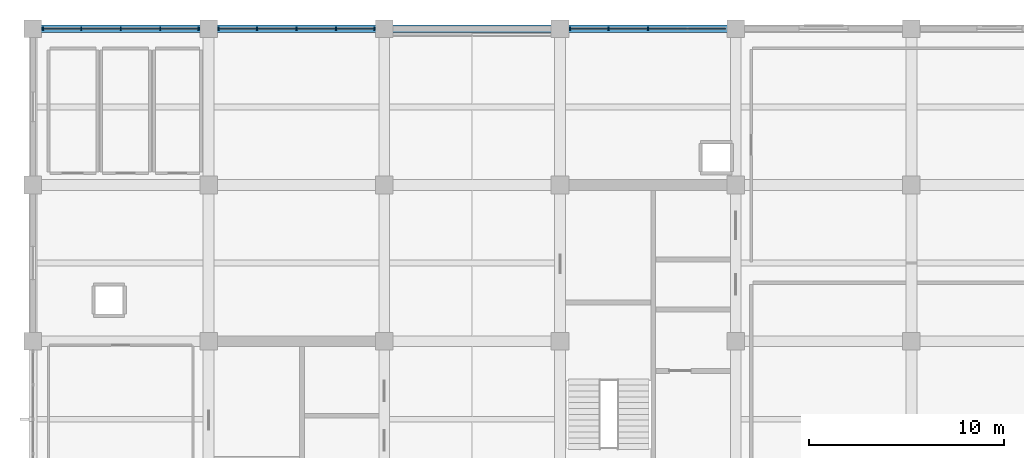
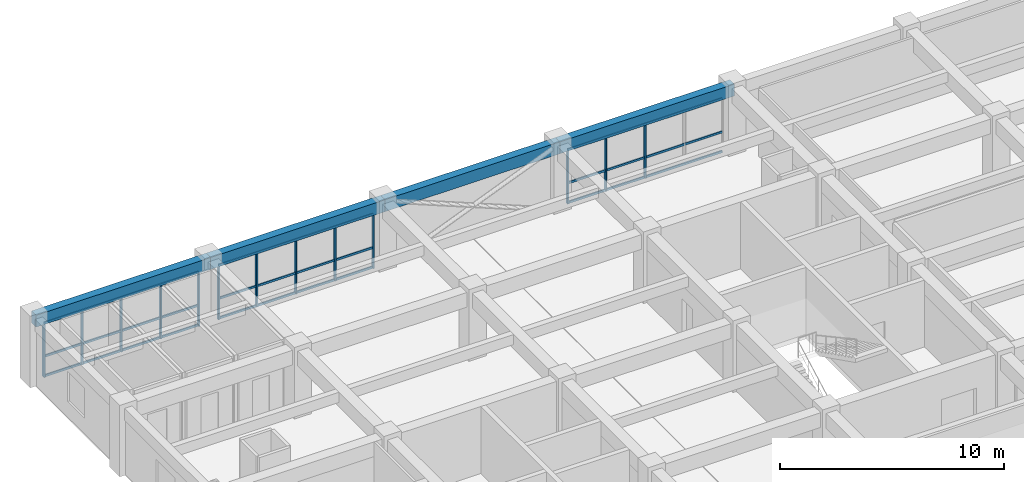
# One storey, part 9 of 16: 22 members, 4 beams, 3 elements without a shape of their own.
"""IFC4 building model written with IfcOpenShell, lengths in metres."""

from ifc_helpers import new_model, si_unit, direction, frame, origin, origin_2d, place, context, subcontext, project, spatial, rectangle, extrude, material, material_profile, profile_set, type_object, element, aggregate, save


model = new_model("IFC4")

# Units and contexts
model_context = context("Model", 3, precision=1e-05, world=origin(), true_north=direction((0.0, 1.0)))
body_context = subcontext(model_context, "Body", "Model", "MODEL_VIEW")
ifc_project = project(units=[si_unit("LENGTHUNIT", "METRE"), si_unit("AREAUNIT", "SQUARE_METRE"), si_unit("VOLUMEUNIT", "CUBIC_METRE"), si_unit("PLANEANGLEUNIT", "RADIAN"), si_unit("MASSUNIT", "GRAM", prefix="KILO")], contexts=[model_context])

# Site, building, storey
site_placement = place(None, origin())
site = spatial("IfcSite", under=ifc_project, at=site_placement, CompositionType="ELEMENT")
building_placement = place(site_placement, origin())
building = spatial("IfcBuilding", under=site, at=building_placement, Name="Zaverband Oceanarium and Marine Research Institute", CompositionType="ELEMENT")
storey_placement = place(building_placement, frame((0.0, 0.0, 25.800048828125)))
storey = spatial("IfcBuildingStorey", under=building, at=storey_placement, Name="L06", CompositionType="ELEMENT", Elevation=25.800048828125)

# Curtain wall, members
ifc_material_1 = material(Name="Thermally broken anodized aluminium and solar-control glass", Category="aluminium")
curtain_wall_type = type_object("IfcCurtainWallType", Name="CW-UNIT-1800", PredefinedType="NOTDEFINED", material=ifc_material_1)
curtain_wall_1_placement = place(storey_placement, origin())
curtain_wall_1 = element("IfcCurtainWall", 1, at=curtain_wall_1_placement, inside=storey, type_object=curtain_wall_type, Name="Unitised glazed curtain wall CW-079", PredefinedType="NOTDEFINED")
ifc_material_2 = material(Name="Thermally broken anodized aluminium", Category="aluminium")
ifc_material_profile_1 = material_profile(ifc_material_2, rectangle(XDim=0.070068359375, YDim=0.14990234375, at=origin_2d()), Name="AL-MUL-70x150")
ifc_profile_set_1 = profile_set([ifc_material_profile_1], Name="Thermally broken anodized aluminium")
member_type_1 = type_object("IfcMemberType", Name="MUL-70x150", PredefinedType="MULLION", material=ifc_profile_set_1)
member_1_placement = place(storey_placement, frame((9.514892578125, 112.0, 0.0), z_axis=(0.0, 0.0, 1.0), x_axis=(1.0, 0.0, 0.0)))
member_1 = element("IfcMember", 2, at=member_1_placement, type_object=member_type_1, Name="Curtain wall vertical mullion MUL-70x150", PredefinedType="MULLION", context=body_context, shape_type="SweptSolid", body=[
    extrude(rectangle(XDim=0.070068359375, YDim=0.14990234375, at=origin_2d()), origin(), (0.0, 0.0, 1.0), 2.97998046875),
])
member_2_placement = place(storey_placement, frame((11.4775390625, 112.0, 0.0), z_axis=(0.0, 0.0, 1.0), x_axis=(1.0, 0.0, 0.0)))
member_2 = element("IfcMember", 3, at=member_2_placement, type_object=member_type_1, Name="Curtain wall vertical mullion MUL-70x150", PredefinedType="MULLION", context=body_context, shape_type="SweptSolid", body=[
    extrude(rectangle(XDim=0.070068359375, YDim=0.14990234375, at=origin_2d()), origin(), (0.0, 0.0, 1.0), 2.97998046875),
])
member_3_placement = place(storey_placement, frame((13.5, 112.0, 0.0), z_axis=(0.0, 0.0, 1.0), x_axis=(1.0, 0.0, 0.0)))
member_3 = element("IfcMember", 4, at=member_3_placement, type_object=member_type_1, Name="Curtain wall vertical mullion MUL-70x150", PredefinedType="MULLION", context=body_context, shape_type="SweptSolid", body=[
    extrude(rectangle(XDim=0.070068359375, YDim=0.14990234375, at=origin_2d()), origin(), (0.0, 0.0, 1.0), 2.97998046875),
])
member_4_placement = place(storey_placement, frame((15.5224609375, 112.0, 0.0), z_axis=(0.0, 0.0, 1.0), x_axis=(1.0, 0.0, 0.0)))
member_4 = element("IfcMember", 5, at=member_4_placement, type_object=member_type_1, Name="Curtain wall vertical mullion MUL-70x150", PredefinedType="MULLION", context=body_context, shape_type="SweptSolid", body=[
    extrude(rectangle(XDim=0.070068359375, YDim=0.14990234375, at=origin_2d()), origin(), (0.0, 0.0, 1.0), 2.97998046875),
])
member_5_placement = place(storey_placement, frame((17.485107421875, 112.0, 0.0), z_axis=(0.0, 0.0, 1.0), x_axis=(1.0, 0.0, 0.0)))
member_5 = element("IfcMember", 6, at=member_5_placement, type_object=member_type_1, Name="Curtain wall vertical mullion MUL-70x150", PredefinedType="MULLION", context=body_context, shape_type="SweptSolid", body=[
    extrude(rectangle(XDim=0.070068359375, YDim=0.14990234375, at=origin_2d()), origin(), (0.0, 0.0, 1.0), 2.97998046875),
])

curtain_wall_2_placement = place(storey_placement, origin())
curtain_wall_2 = element("IfcCurtainWall", 7, at=curtain_wall_2_placement, inside=storey, type_object=curtain_wall_type, Name="Unitised glazed curtain wall CW-080", PredefinedType="NOTDEFINED")
member_6_placement = place(storey_placement, frame((18.514892578125, 112.0, 0.0), z_axis=(0.0, 0.0, 1.0), x_axis=(1.0, 0.0, 0.0)))
member_6 = element("IfcMember", 8, at=member_6_placement, type_object=member_type_1, Name="Curtain wall vertical mullion MUL-70x150", PredefinedType="MULLION", context=body_context, shape_type="SweptSolid", body=[
    extrude(rectangle(XDim=0.070068359375, YDim=0.14990234375, at=origin_2d()), origin(), (0.0, 0.0, 1.0), 2.97998046875),
])
member_7_placement = place(storey_placement, frame((20.4775390625, 112.0, 0.0), z_axis=(0.0, 0.0, 1.0), x_axis=(1.0, 0.0, 0.0)))
member_7 = element("IfcMember", 9, at=member_7_placement, type_object=member_type_1, Name="Curtain wall vertical mullion MUL-70x150", PredefinedType="MULLION", context=body_context, shape_type="SweptSolid", body=[
    extrude(rectangle(XDim=0.070068359375, YDim=0.14990234375, at=origin_2d()), origin(), (0.0, 0.0, 1.0), 2.97998046875),
])
member_8_placement = place(storey_placement, frame((22.5, 112.0, 0.0), z_axis=(0.0, 0.0, 1.0), x_axis=(1.0, 0.0, 0.0)))
member_8 = element("IfcMember", 10, at=member_8_placement, type_object=member_type_1, Name="Curtain wall vertical mullion MUL-70x150", PredefinedType="MULLION", context=body_context, shape_type="SweptSolid", body=[
    extrude(rectangle(XDim=0.070068359375, YDim=0.14990234375, at=origin_2d()), origin(), (0.0, 0.0, 1.0), 2.97998046875),
])
member_9_placement = place(storey_placement, frame((24.5224609375, 112.0, 0.0), z_axis=(0.0, 0.0, 1.0), x_axis=(1.0, 0.0, 0.0)))
member_9 = element("IfcMember", 11, at=member_9_placement, type_object=member_type_1, Name="Curtain wall vertical mullion MUL-70x150", PredefinedType="MULLION", context=body_context, shape_type="SweptSolid", body=[
    extrude(rectangle(XDim=0.070068359375, YDim=0.14990234375, at=origin_2d()), origin(), (0.0, 0.0, 1.0), 2.97998046875),
])
member_10_placement = place(storey_placement, frame((26.485107421875, 112.0, 0.0), z_axis=(0.0, 0.0, 1.0), x_axis=(1.0, 0.0, 0.0)))
member_10 = element("IfcMember", 12, at=member_10_placement, type_object=member_type_1, Name="Curtain wall vertical mullion MUL-70x150", PredefinedType="MULLION", context=body_context, shape_type="SweptSolid", body=[
    extrude(rectangle(XDim=0.070068359375, YDim=0.14990234375, at=origin_2d()), origin(), (0.0, 0.0, 1.0), 2.97998046875),
])

curtain_wall_3_placement = place(storey_placement, origin())
curtain_wall_3 = element("IfcCurtainWall", 13, at=curtain_wall_3_placement, inside=storey, type_object=curtain_wall_type, Name="Unitised glazed curtain wall CW-081", PredefinedType="NOTDEFINED")
member_11_placement = place(storey_placement, frame((36.514892578125, 112.0, 0.0), z_axis=(0.0, 0.0, 1.0), x_axis=(1.0, 0.0, 0.0)))
member_11 = element("IfcMember", 14, at=member_11_placement, type_object=member_type_1, Name="Curtain wall vertical mullion MUL-70x150", PredefinedType="MULLION", context=body_context, shape_type="SweptSolid", body=[
    extrude(rectangle(XDim=0.070068359375, YDim=0.14990234375, at=origin_2d()), origin(), (0.0, 0.0, 1.0), 2.97998046875),
])
member_12_placement = place(storey_placement, frame((38.4775390625, 112.0, 0.0), z_axis=(0.0, 0.0, 1.0), x_axis=(1.0, 0.0, 0.0)))
member_12 = element("IfcMember", 15, at=member_12_placement, type_object=member_type_1, Name="Curtain wall vertical mullion MUL-70x150", PredefinedType="MULLION", context=body_context, shape_type="SweptSolid", body=[
    extrude(rectangle(XDim=0.070068359375, YDim=0.14990234375, at=origin_2d()), origin(), (0.0, 0.0, 1.0), 2.97998046875),
])
member_13_placement = place(storey_placement, frame((40.5, 112.0, 0.0), z_axis=(0.0, 0.0, 1.0), x_axis=(1.0, 0.0, 0.0)))
member_13 = element("IfcMember", 16, at=member_13_placement, type_object=member_type_1, Name="Curtain wall vertical mullion MUL-70x150", PredefinedType="MULLION", context=body_context, shape_type="SweptSolid", body=[
    extrude(rectangle(XDim=0.070068359375, YDim=0.14990234375, at=origin_2d()), origin(), (0.0, 0.0, 1.0), 2.97998046875),
])

# Beams
ifc_material_3 = material(Name="Concrete C40/50", Category="concrete")
ifc_material_profile_2 = material_profile(ifc_material_3, rectangle(XDim=0.39990234375, YDim=0.64990234375, at=origin_2d()), Name="RC400x650")
ifc_profile_set_2 = profile_set([ifc_material_profile_2], Name="Concrete C40/50")
beam_type = type_object("IfcBeamType", Name="SPN-400x650", PredefinedType="SPANDREL", material=ifc_profile_set_2)
for number, where, z_axis, x_axis, name in (
    (17, (9.0, 112.0, 3.324951171875), (1.0, 0.0, 0.0), (0.0, 1.0, 0.0), "Perimeter spandrel beam SPN-400x650"),
    (18, (18.0, 112.0, 3.324951171875), (1.0, 0.0, 0.0), (0.0, 1.0, 0.0), "Perimeter spandrel beam SPN-400x650"),
    (19, (27.0, 112.0, 3.324951171875), (1.0, 0.0, 0.0), (0.0, 1.0, 0.0), "Perimeter spandrel beam SPN-400x650"),
    (20, (36.0, 112.0, 3.324951171875), (1.0, 0.0, 0.0), (0.0, 1.0, 0.0), "Perimeter spandrel beam SPN-400x650"),
):
    element("IfcBeam", number, at=place(storey_placement, frame(where, z_axis=z_axis, x_axis=x_axis)), inside=storey, type_object=beam_type, Name=name, PredefinedType="SPANDREL", context=body_context, shape_type="SweptSolid", body=[
        extrude(rectangle(XDim=0.39990234375, YDim=0.64990234375, at=origin_2d()), origin(), (0.0, 0.0, 1.0), 9.0),
    ])

# Member
ifc_material_profile_3 = material_profile(ifc_material_2, rectangle(XDim=0.070068359375, YDim=0.114990234375, at=origin_2d()), Name="AL-TRN-70x115")
ifc_profile_set_3 = profile_set([ifc_material_profile_3], Name="Thermally broken anodized aluminium")
member_type_2 = type_object("IfcMemberType", Name="TRN-70x115", PredefinedType="USERDEFINED", material=ifc_profile_set_3)
member_14_placement = place(storey_placement, frame((9.514892578125, 112.0, 0.050048828125), z_axis=(1.0, 0.0, 0.0), x_axis=(0.0, 1.0, 0.0)))
member_14 = element("IfcMember", 21, at=member_14_placement, type_object=member_type_2, Name="Curtain wall horizontal transom TRN-70x115", ObjectType="TRANSOM", PredefinedType="USERDEFINED", context=body_context, shape_type="SweptSolid", body=[
    extrude(rectangle(XDim=0.070068359375, YDim=0.114990234375, at=origin_2d()), origin(), (0.0, 0.0, 1.0), 7.97021484375),
])

member_15_placement = place(storey_placement, frame((9.514892578125, 112.0, 1.123046875), z_axis=(1.0, 0.0, 0.0), x_axis=(0.0, 1.0, 0.0)))
member_15 = element("IfcMember", 22, at=member_15_placement, type_object=member_type_2, Name="Curtain wall horizontal transom TRN-70x115", ObjectType="TRANSOM", PredefinedType="USERDEFINED", context=body_context, shape_type="SweptSolid", body=[
    extrude(rectangle(XDim=0.070068359375, YDim=0.114990234375, at=origin_2d()), origin(), (0.0, 0.0, 1.0), 7.97021484375),
])

member_16_placement = place(storey_placement, frame((9.514892578125, 112.0, 2.929931640625), z_axis=(1.0, 0.0, 0.0), x_axis=(0.0, 1.0, 0.0)))
member_16 = element("IfcMember", 23, at=member_16_placement, type_object=member_type_2, Name="Curtain wall horizontal transom TRN-70x115", ObjectType="TRANSOM", PredefinedType="USERDEFINED", context=body_context, shape_type="SweptSolid", body=[
    extrude(rectangle(XDim=0.070068359375, YDim=0.114990234375, at=origin_2d()), origin(), (0.0, 0.0, 1.0), 7.97021484375),
])

aggregate(curtain_wall_1, [member_1, member_2, member_3, member_4, member_5, member_14, member_15, member_16])

member_17_placement = place(storey_placement, frame((18.514892578125, 112.0, 0.050048828125), z_axis=(1.0, 0.0, 0.0), x_axis=(0.0, 1.0, 0.0)))
member_17 = element("IfcMember", 24, at=member_17_placement, type_object=member_type_2, Name="Curtain wall horizontal transom TRN-70x115", ObjectType="TRANSOM", PredefinedType="USERDEFINED", context=body_context, shape_type="SweptSolid", body=[
    extrude(rectangle(XDim=0.070068359375, YDim=0.114990234375, at=origin_2d()), origin(), (0.0, 0.0, 1.0), 7.97021484375),
])

member_18_placement = place(storey_placement, frame((18.514892578125, 112.0, 1.123046875), z_axis=(1.0, 0.0, 0.0), x_axis=(0.0, 1.0, 0.0)))
member_18 = element("IfcMember", 25, at=member_18_placement, type_object=member_type_2, Name="Curtain wall horizontal transom TRN-70x115", ObjectType="TRANSOM", PredefinedType="USERDEFINED", context=body_context, shape_type="SweptSolid", body=[
    extrude(rectangle(XDim=0.070068359375, YDim=0.114990234375, at=origin_2d()), origin(), (0.0, 0.0, 1.0), 7.97021484375),
])

member_19_placement = place(storey_placement, frame((18.514892578125, 112.0, 2.929931640625), z_axis=(1.0, 0.0, 0.0), x_axis=(0.0, 1.0, 0.0)))
member_19 = element("IfcMember", 26, at=member_19_placement, type_object=member_type_2, Name="Curtain wall horizontal transom TRN-70x115", ObjectType="TRANSOM", PredefinedType="USERDEFINED", context=body_context, shape_type="SweptSolid", body=[
    extrude(rectangle(XDim=0.070068359375, YDim=0.114990234375, at=origin_2d()), origin(), (0.0, 0.0, 1.0), 7.97021484375),
])

aggregate(curtain_wall_2, [member_6, member_7, member_8, member_9, member_10, member_17, member_18, member_19])

member_20_placement = place(storey_placement, frame((36.514892578125, 112.0, 0.050048828125), z_axis=(1.0, 0.0, 0.0), x_axis=(0.0, 1.0, 0.0)))
member_20 = element("IfcMember", 27, at=member_20_placement, type_object=member_type_2, Name="Curtain wall horizontal transom TRN-70x115", ObjectType="TRANSOM", PredefinedType="USERDEFINED", context=body_context, shape_type="SweptSolid", body=[
    extrude(rectangle(XDim=0.070068359375, YDim=0.114990234375, at=origin_2d()), origin(), (0.0, 0.0, 1.0), 7.97021484375),
])

member_21_placement = place(storey_placement, frame((36.514892578125, 112.0, 1.123046875), z_axis=(1.0, 0.0, 0.0), x_axis=(0.0, 1.0, 0.0)))
member_21 = element("IfcMember", 28, at=member_21_placement, type_object=member_type_2, Name="Curtain wall horizontal transom TRN-70x115", ObjectType="TRANSOM", PredefinedType="USERDEFINED", context=body_context, shape_type="SweptSolid", body=[
    extrude(rectangle(XDim=0.070068359375, YDim=0.114990234375, at=origin_2d()), origin(), (0.0, 0.0, 1.0), 7.97021484375),
])

member_22_placement = place(storey_placement, frame((36.514892578125, 112.0, 2.929931640625), z_axis=(1.0, 0.0, 0.0), x_axis=(0.0, 1.0, 0.0)))
member_22 = element("IfcMember", 29, at=member_22_placement, type_object=member_type_2, Name="Curtain wall horizontal transom TRN-70x115", ObjectType="TRANSOM", PredefinedType="USERDEFINED", context=body_context, shape_type="SweptSolid", body=[
    extrude(rectangle(XDim=0.070068359375, YDim=0.114990234375, at=origin_2d()), origin(), (0.0, 0.0, 1.0), 7.97021484375),
])

aggregate(curtain_wall_3, [member_11, member_12, member_13, member_20, member_21, member_22])

save(model, "model.ifc")
